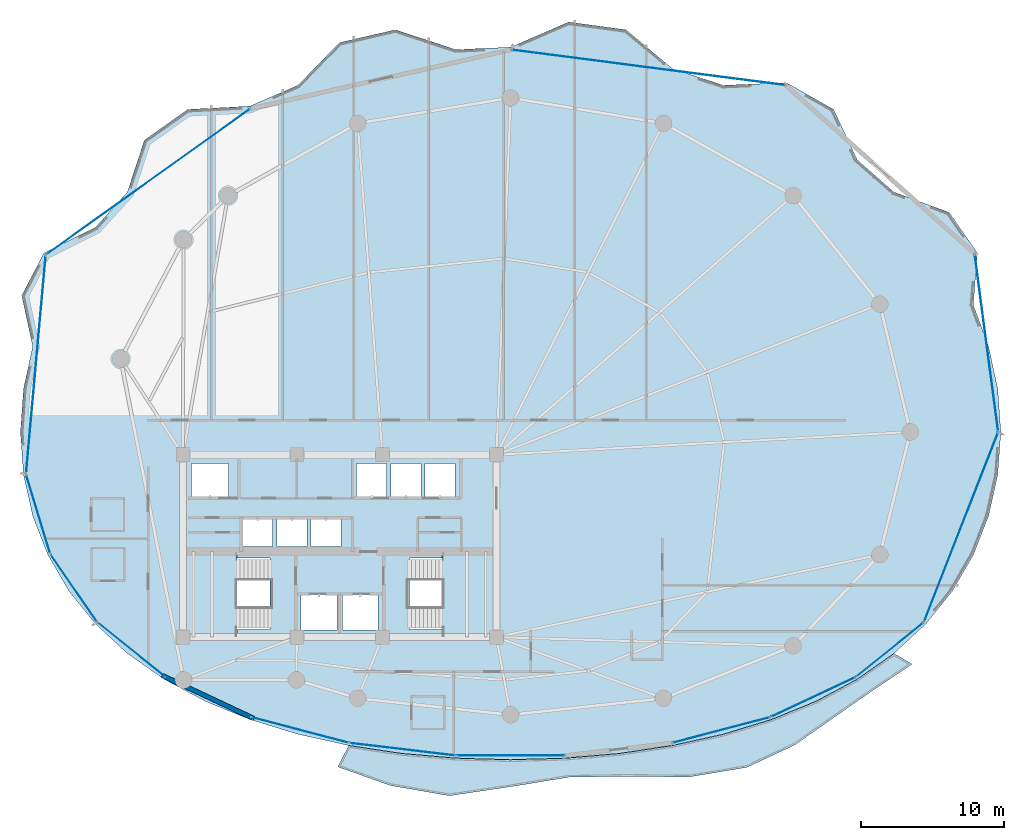
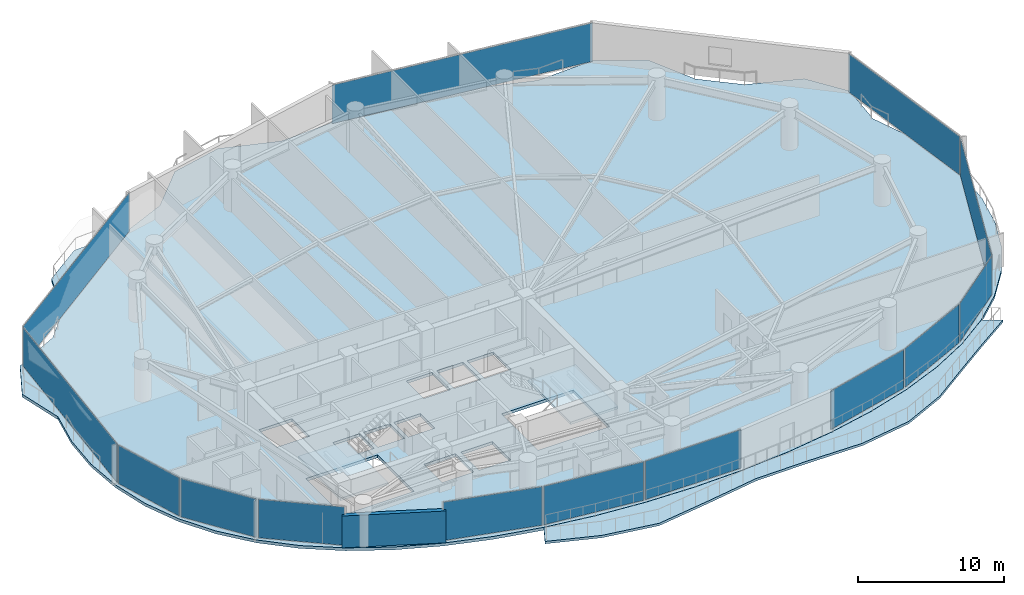
# One storey, part 25 of 33: 14 plates, 4 slabs, 1 wall, 16 elements without a shape of their own.
"""IFC4 building model written with IfcOpenShell, lengths in metres."""

from ifc_helpers import new_model, si_unit, direction, frame, frame_2d, origin, origin_2d, place, context, subcontext, project, spatial, polyline, rectangle, outline, extrude, material, layer, layer_set, type_object, element, aggregate, save


model = new_model("IFC4")

# Units and contexts
model_context = context("Model", 3, precision=1e-05, world=origin(), true_north=direction((0.0, 1.0)))
body_context = subcontext(model_context, "Body", "Model", "MODEL_VIEW")
ifc_project = project(units=[si_unit("LENGTHUNIT", "METRE"), si_unit("AREAUNIT", "SQUARE_METRE"), si_unit("VOLUMEUNIT", "CUBIC_METRE"), si_unit("PLANEANGLEUNIT", "RADIAN"), si_unit("MASSUNIT", "GRAM", prefix="KILO")], contexts=[model_context])

# Site, building, storey
site_placement = place(None, origin())
site = spatial("IfcSite", under=ifc_project, at=site_placement, CompositionType="ELEMENT")
building_placement = place(site_placement, origin())
building = spatial("IfcBuilding", under=site, at=building_placement, Name="Kazevale Care Tower and Concert Hall", CompositionType="ELEMENT")
storey_placement = place(building_placement, frame((0.0, 0.0, 153.0)))
storey = spatial("IfcBuildingStorey", under=building, at=storey_placement, Name="L40", CompositionType="ELEMENT", Elevation=153.0)

# Curtain wall, plate
ifc_material_1 = material(Name="Aluminium 6063-T6 and Low-E Glass", Category="aluminium")
ifc_layer_1 = layer(ifc_material_1, 0.179931640625)
ifc_layer_set_1 = layer_set([ifc_layer_1], Name="Aluminium 6063-T6 and Low-E Glass")
curtain_wall_type_1 = type_object("IfcCurtainWallType", Name="Convex Recessed Sunroom Curtain Wall CW-3", PredefinedType="NOTDEFINED", material=ifc_layer_set_1)
curtain_wall_1_placement = place(storey_placement, origin())
curtain_wall_1 = element("IfcCurtainWall", 1, at=curtain_wall_1_placement, inside=storey, type_object=curtain_wall_type_1, Name="cw:L40:f14", PredefinedType="NOTDEFINED")
ifc_material_2 = material(Name="Low-E Laminated Glass", Category="glass")
ifc_layer_2 = layer(ifc_material_2, 0.028076171875)
ifc_layer_set_2 = layer_set([ifc_layer_2], Name="Low-E Laminated Glass")
plate_type_1 = type_object("IfcPlateType", Name="CW-3 Low-E Glazing Panel 28mm", PredefinedType="CURTAIN_PANEL", material=ifc_layer_set_2)
plate_1_placement = place(storey_placement, frame((19.56103515625, 55.554931640625, 0.074951171875), z_axis=(0.0, 0.0, 1.0), x_axis=(0.813672201494, 0.58132396176, 0.0)))
plate_1 = element("IfcPlate", 2, at=plate_1_placement, type_object=plate_type_1, Name="CW-3 panel 1.1", PredefinedType="CURTAIN_PANEL", context=body_context, shape_type="SweptSolid", body=[
    extrude(rectangle(XDim=17.495849609375, YDim=0.028076171875, at=origin_2d()), origin(), (0.0, 0.0, 1.0), 3.2099609375),
])
aggregate(curtain_wall_1, [plate_1])

curtain_wall_2_placement = place(storey_placement, origin())
curtain_wall_2 = element("IfcCurtainWall", 3, at=curtain_wall_2_placement, inside=storey, type_object=curtain_wall_type_1, Name="cw:L40:f16", PredefinedType="NOTDEFINED")
plate_2_placement = place(storey_placement, frame((54.66845703125, 63.576416015625, 0.074951171875), z_axis=(0.0, 0.0, 1.0), x_axis=(0.99173542708, -0.128299815569, 0.0)))
plate_2 = element("IfcPlate", 4, at=plate_2_placement, type_object=plate_type_1, Name="CW-3 panel 1.1", PredefinedType="CURTAIN_PANEL", context=body_context, shape_type="SweptSolid", body=[
    extrude(rectangle(XDim=19.265380859375, YDim=0.028076171875, at=origin_2d()), origin(), (0.0, 0.0, 1.0), 3.2099609375),
])
aggregate(curtain_wall_2, [plate_2])

ifc_layer_3 = layer(ifc_material_1, 0.179931640625)
ifc_layer_set_3 = layer_set([ifc_layer_3], Name="Aluminium 6063-T6 and Low-E Glass")
curtain_wall_type_2 = type_object("IfcCurtainWallType", Name="Waist & Upper Residential Curtain Wall CW-4", PredefinedType="NOTDEFINED", material=ifc_layer_set_3)
curtain_wall_3_placement = place(storey_placement, origin())
curtain_wall_3 = element("IfcCurtainWall", 5, at=curtain_wall_3_placement, inside=storey, type_object=curtain_wall_type_2, Name="cw:L40:f01", PredefinedType="NOTDEFINED")
ifc_layer_4 = layer(ifc_material_2, 0.030029296875)
ifc_layer_set_4 = layer_set([ifc_layer_4], Name="Low-E Laminated Glass")
plate_type_2 = type_object("IfcPlateType", Name="CW-4 Low-E Glazing Panel 30mm", PredefinedType="CURTAIN_PANEL", material=ifc_layer_set_4)
plate_3_placement = place(storey_placement, frame((76.60791015625, 31.319091796875, 0.080078125), z_axis=(0.0, 0.0, 1.0), x_axis=(-0.36412075471, -0.931351746651, 0.0)))
plate_3 = element("IfcPlate", 6, at=plate_3_placement, type_object=plate_type_2, Name="CW-4 panel 1.1", PredefinedType="CURTAIN_PANEL", context=body_context, shape_type="SweptSolid", body=[
    extrude(rectangle(XDim=14.186767578125, YDim=0.030029296875, at=origin_2d()), origin(), (0.0, 0.0, 1.0), 3.199951171875),
])
aggregate(curtain_wall_3, [plate_3])

curtain_wall_4_placement = place(storey_placement, origin())
curtain_wall_4 = element("IfcCurtainWall", 7, at=curtain_wall_4_placement, inside=storey, type_object=curtain_wall_type_2, Name="cw:L40:f11", PredefinedType="NOTDEFINED")
plate_4_placement = place(storey_placement, frame((14.348388671875, 27.03955078125, 0.080078125), z_axis=(0.0, 0.0, 1.0), x_axis=(-0.567568708131, 0.823326035997, 0.0)))
plate_4 = element("IfcPlate", 8, at=plate_4_placement, type_object=plate_type_2, Name="CW-4 panel 1.1", PredefinedType="CURTAIN_PANEL", context=body_context, shape_type="SweptSolid", body=[
    extrude(rectangle(XDim=5.673583984375, YDim=0.030029296875, at=origin_2d()), origin(), (0.0, 0.0, 1.0), 3.199951171875),
])
aggregate(curtain_wall_4, [plate_4])

curtain_wall_5_placement = place(storey_placement, origin())
curtain_wall_5 = element("IfcCurtainWall", 9, at=curtain_wall_5_placement, inside=storey, type_object=curtain_wall_type_2, Name="cw:L40:f12", PredefinedType="NOTDEFINED")
plate_5_placement = place(storey_placement, frame((11.843994140625, 32.232421875, 0.080078125), z_axis=(0.0, 0.0, 1.0), x_axis=(-0.290977496961, 0.956729897234, 0.0)))
plate_5 = element("IfcPlate", 10, at=plate_5_placement, type_object=plate_type_2, Name="CW-4 panel 1.1", PredefinedType="CURTAIN_PANEL", context=body_context, shape_type="SweptSolid", body=[
    extrude(rectangle(XDim=5.675537109375, YDim=0.030029296875, at=origin_2d()), origin(), (0.0, 0.0, 1.0), 3.199951171875),
])
aggregate(curtain_wall_5, [plate_5])

curtain_wall_6_placement = place(storey_placement, origin())
curtain_wall_6 = element("IfcCurtainWall", 11, at=curtain_wall_6_placement, inside=storey, type_object=curtain_wall_type_2, Name="cw:L40:f13", PredefinedType="NOTDEFINED")
plate_6_placement = place(storey_placement, frame((11.6884765625, 42.72509765625, 0.080078125), z_axis=(0.0, 0.0, 1.0), x_axis=(0.089690298589, 0.995969703525, 0.0)))
plate_6 = element("IfcPlate", 12, at=plate_6_placement, type_object=plate_type_2, Name="CW-4 panel 1.1", PredefinedType="CURTAIN_PANEL", context=body_context, shape_type="SweptSolid", body=[
    extrude(rectangle(XDim=15.304443359375, YDim=0.030029296875, at=origin_2d()), origin(), (0.0, 0.0, 1.0), 3.199951171875),
])
aggregate(curtain_wall_6, [plate_6])

curtain_wall_7_placement = place(storey_placement, origin())
curtain_wall_7 = element("IfcCurtainWall", 13, at=curtain_wall_7_placement, inside=storey, type_object=curtain_wall_type_2, Name="cw:L40:f18", PredefinedType="NOTDEFINED")
plate_7_placement = place(storey_placement, frame((78.39306640625, 44.255615234375, 0.080078125), z_axis=(0.0, 0.0, 1.0), x_axis=(0.131063272711, -0.991374005382, 0.0)))
plate_7 = element("IfcPlate", 14, at=plate_7_placement, type_object=plate_type_2, Name="CW-4 panel 1.1", PredefinedType="CURTAIN_PANEL", context=body_context, shape_type="SweptSolid", body=[
    extrude(rectangle(XDim=12.4599609375, YDim=0.030029296875, at=origin_2d()), origin(), (0.0, 0.0, 1.0), 3.199951171875),
])
aggregate(curtain_wall_7, [plate_7])

ifc_layer_5 = layer(ifc_material_1, 0.179931640625)
ifc_layer_set_5 = layer_set([ifc_layer_5], Name="Aluminium 6063-T6 and Low-E Glass")
curtain_wall_type_3 = type_object("IfcCurtainWallType", Name="Sheltered Concave Balcony Curtain Wall CW-5", PredefinedType="NOTDEFINED", material=ifc_layer_set_5)
curtain_wall_8_placement = place(storey_placement, origin())
curtain_wall_8 = element("IfcCurtainWall", 15, at=curtain_wall_8_placement, inside=storey, type_object=curtain_wall_type_3, Name="cw:L40:f02", PredefinedType="NOTDEFINED")
ifc_layer_6 = layer(ifc_material_2, 0.02587890625)
ifc_layer_set_6 = layer_set([ifc_layer_6], Name="Low-E Laminated Glass")
plate_type_3 = type_object("IfcPlateType", Name="CW-5 Low-E Glazing Panel 26mm", PredefinedType="CURTAIN_PANEL", material=ifc_layer_set_6)
plate_8_placement = place(storey_placement, frame((71.613037109375, 22.720458984375, 0.074951171875), z_axis=(0.0, 0.0, 1.0), x_axis=(-0.779095419531, -0.626905357502, 0.0)))
plate_8 = element("IfcPlate", 16, at=plate_8_placement, type_object=plate_type_3, Name="CW-5 panel 1.1", PredefinedType="CURTAIN_PANEL", context=body_context, shape_type="SweptSolid", body=[
    extrude(rectangle(XDim=5.96728515625, YDim=0.02587890625, at=origin_2d()), origin(), (0.0, 0.0, 1.0), 3.2099609375),
])
aggregate(curtain_wall_8, [plate_8])

curtain_wall_9_placement = place(storey_placement, origin())
curtain_wall_9 = element("IfcCurtainWall", 17, at=curtain_wall_9_placement, inside=storey, type_object=curtain_wall_type_3, Name="cw:L40:f03", PredefinedType="NOTDEFINED")
plate_9_placement = place(storey_placement, frame((66.235595703125, 19.39697265625, 0.074951171875), z_axis=(0.0, 0.0, 1.0), x_axis=(-0.905188294205, -0.425010766963, 0.0)))
plate_9 = element("IfcPlate", 18, at=plate_9_placement, type_object=plate_type_3, Name="CW-5 panel 1.1", PredefinedType="CURTAIN_PANEL", context=body_context, shape_type="SweptSolid", body=[
    extrude(rectangle(XDim=6.46630859375, YDim=0.02587890625, at=origin_2d()), origin(), (0.0, 0.0, 1.0), 3.2099609375),
])
aggregate(curtain_wall_9, [plate_9])

curtain_wall_10_placement = place(storey_placement, origin())
curtain_wall_10 = element("IfcCurtainWall", 19, at=curtain_wall_10_placement, inside=storey, type_object=curtain_wall_type_3, Name="cw:L40:f04", PredefinedType="NOTDEFINED")
plate_10_placement = place(storey_placement, frame((59.784912109375, 17.08251953125, 0.074951171875), z_axis=(0.0, 0.0, 1.0), x_axis=(-0.967141564797, -0.254238458229, 0.0)))
plate_10 = element("IfcPlate", 20, at=plate_10_placement, type_object=plate_type_3, Name="CW-5 panel 1.1", PredefinedType="CURTAIN_PANEL", context=body_context, shape_type="SweptSolid", body=[
    extrude(rectangle(XDim=6.996826171875, YDim=0.02587890625, at=origin_2d()), origin(), (0.0, 0.0, 1.0), 3.2099609375),
])
aggregate(curtain_wall_10, [plate_10])

curtain_wall_11_placement = place(storey_placement, origin())
curtain_wall_11 = element("IfcCurtainWall", 21, at=curtain_wall_11_placement, inside=storey, type_object=curtain_wall_type_3, Name="cw:L40:f06", PredefinedType="NOTDEFINED")
plate_11_placement = place(storey_placement, frame((45.0, 15.2890625, 0.074951171875), z_axis=(0.0, 0.0, 1.0), x_axis=(-1.0, 0.0, 0.0)))
plate_11 = element("IfcPlate", 22, at=plate_11_placement, type_object=plate_type_3, Name="CW-5 panel 1.1", PredefinedType="CURTAIN_PANEL", context=body_context, shape_type="SweptSolid", body=[
    extrude(rectangle(XDim=7.531982421875, YDim=0.02587890625, at=origin_2d()), origin(), (0.0, 0.0, 1.0), 3.2099609375),
])
aggregate(curtain_wall_11, [plate_11])

curtain_wall_12_placement = place(storey_placement, origin())
curtain_wall_12 = element("IfcCurtainWall", 23, at=curtain_wall_12_placement, inside=storey, type_object=curtain_wall_type_3, Name="cw:L40:f07", PredefinedType="NOTDEFINED")
plate_12_placement = place(storey_placement, frame((37.4150390625, 15.7314453125, 0.074951171875), z_axis=(0.0, 0.0, 1.0), x_axis=(-0.993087997884, 0.117372179238, 0.0)))
plate_12 = element("IfcPlate", 24, at=plate_12_placement, type_object=plate_type_3, Name="CW-5 panel 1.1", PredefinedType="CURTAIN_PANEL", context=body_context, shape_type="SweptSolid", body=[
    extrude(rectangle(XDim=7.39013671875, YDim=0.02587890625, at=origin_2d()), origin(), (0.0, 0.0, 1.0), 3.2099609375),
])
aggregate(curtain_wall_12, [plate_12])

curtain_wall_13_placement = place(storey_placement, origin())
curtain_wall_13 = element("IfcCurtainWall", 25, at=curtain_wall_13_placement, inside=storey, type_object=curtain_wall_type_3, Name="cw:L40:f08", PredefinedType="NOTDEFINED")
plate_13_placement = place(storey_placement, frame((30.215087890625, 17.08251953125, 0.074951171875), z_axis=(0.0, 0.0, 1.0), x_axis=(-0.967141564797, 0.254238458229, 0.0)))
plate_13 = element("IfcPlate", 26, at=plate_13_placement, type_object=plate_type_3, Name="CW-5 panel 1.1", PredefinedType="CURTAIN_PANEL", context=body_context, shape_type="SweptSolid", body=[
    extrude(rectangle(XDim=6.996826171875, YDim=0.02587890625, at=origin_2d()), origin(), (0.0, 0.0, 1.0), 3.2099609375),
])
aggregate(curtain_wall_13, [plate_13])

curtain_wall_14_placement = place(storey_placement, origin())
curtain_wall_14 = element("IfcCurtainWall", 27, at=curtain_wall_14_placement, inside=storey, type_object=curtain_wall_type_3, Name="cw:L40:f10", PredefinedType="NOTDEFINED")
plate_14_placement = place(storey_placement, frame((18.386962890625, 22.720458984375, 0.074951171875), z_axis=(0.0, 0.0, 1.0), x_axis=(-0.779095419531, 0.626905357502, 0.0)))
plate_14 = element("IfcPlate", 28, at=plate_14_placement, type_object=plate_type_3, Name="CW-5 panel 1.1", PredefinedType="CURTAIN_PANEL", context=body_context, shape_type="SweptSolid", body=[
    extrude(rectangle(XDim=5.96728515625, YDim=0.02587890625, at=origin_2d()), origin(), (0.0, 0.0, 1.0), 3.2099609375),
])
aggregate(curtain_wall_14, [plate_14])

# Slab
ifc_material_3 = material(Name="Concrete C40", Category="concrete")
ifc_layer_7 = layer(ifc_material_3, 0.199951171875)
ifc_layer_set_7 = layer_set([ifc_layer_7], Name="Concrete C40")
slab_type_1 = type_object("IfcSlabType", Name="Sinusoidal Concave Balcony Slab 200", PredefinedType="USERDEFINED", material=ifc_layer_set_7)
slab_1_placement = place(storey_placement, frame((0.0, 0.0, -0.199951171875)))
element("IfcSlab", 29, at=slab_1_placement, inside=storey, type_object=slab_type_1, Name="slab:L40:bal", ObjectType="BALCONY", PredefinedType="USERDEFINED", context=body_context, shape_type="SweptSolid", body=[
    extrude(outline(polyline([(73.1787109375, 21.7109375), (70.423583984375, 19.865234375), (67.71826171875, 17.9873046875), (64.9287109375, 16.028076171875), (61.564697265625, 14.458984375), (57.5048828125, 13.783203125), (53.19921875, 13.8359375), (49.076904296875, 13.77099609375), (45.0, 13.103759765625), (40.7041015625, 12.4697265625), (36.579345703125, 13.183349609375), (32.864013671875, 14.498046875), (33.635986328125, 15.992919921875), (33.637451171875, 15.992431640625), (37.3447265625, 15.435546875), (41.148193359375, 15.104736328125), (45.0, 14.9951171875), (48.851806640625, 15.104736328125), (52.6552734375, 15.435546875), (56.362548828125, 15.992431640625), (59.927001953125, 16.783447265625), (63.3037109375, 17.81689453125), (66.4501953125, 19.101806640625), (69.3271484375, 20.64501953125), (71.898193359375, 22.44921875), (71.899658203125, 22.450439453125), (73.1787109375, 21.7109375)])), origin(), (0.0, 0.0, 1.0), 0.199951171875),
])

# Stair, slab
stair_type = type_object("IfcStairType", Name="Exit Stair Assembly ST1-Z2", PredefinedType="HALF_TURN_STAIR", material=ifc_material_3)
stair_1_placement = place(storey_placement, origin())
stair_1 = element("IfcStair", 30, at=stair_1_placement, inside=storey, type_object=stair_type, Name="stair:L40:ST1", PredefinedType="HALF_TURN_STAIR")
ifc_layer_8 = layer(ifc_material_3, 0.199951171875)
ifc_layer_set_8 = layer_set([ifc_layer_8], Name="Concrete C40")
slab_type_2 = type_object("IfcSlabType", Name="Stair Half-Landing Slab ST1-Z2", PredefinedType="LANDING", material=ifc_layer_set_8)
slab_2_placement = place(storey_placement, frame((0.0, 0.0, 1.60009765625)))
slab_2 = element("IfcSlab", 31, at=slab_2_placement, type_object=slab_type_2, Name="ST1-Z2 landing 1", PredefinedType="LANDING", context=body_context, shape_type="SweptSolid", body=[
    extrude(outline(polyline([(22.050048828125, 23.699951171875), (25.81005859375, 23.699951171875), (25.81005859375, 29.5), (22.050048828125, 29.5), (22.050048828125, 23.699951171875)])), origin(), (0.0, 0.0, 1.0), 0.199951171875),
])
aggregate(stair_1, [slab_2])

stair_2_placement = place(storey_placement, origin())
stair_2 = element("IfcStair", 32, at=stair_2_placement, inside=storey, type_object=stair_type, Name="stair:L40:ST2", PredefinedType="HALF_TURN_STAIR")
slab_3_placement = place(storey_placement, frame((0.0, 0.0, 1.60009765625)))
slab_3 = element("IfcSlab", 33, at=slab_3_placement, type_object=slab_type_2, Name="ST1-Z2 landing 1", PredefinedType="LANDING", context=body_context, shape_type="SweptSolid", body=[
    extrude(outline(polyline([(40.18994140625, 23.699951171875), (43.949951171875, 23.699951171875), (43.949951171875, 29.5), (40.18994140625, 29.5), (40.18994140625, 23.699951171875)])), origin(), (0.0, 0.0, 1.0), 0.199951171875),
])
aggregate(stair_2, [slab_3])

# Slab
ifc_layer_9 = layer(ifc_material_3, 0.239990234375)
ifc_layer_set_9 = layer_set([ifc_layer_9], Name="Concrete C40")
slab_type_3 = type_object("IfcSlabType", Name="Tower Typical Floor Slab 240", PredefinedType="FLOOR", material=ifc_layer_set_9)
slab_4_placement = place(storey_placement, frame((0.0, 0.0, -0.239990234375)))
element("IfcSlab", 34, at=slab_4_placement, inside=storey, type_object=slab_type_3, Name="slab:L40:tw:1", PredefinedType="FLOOR", context=body_context, shape_type="SweptSolid", body=[
    extrude(outline(polyline([(79.39990234375, 38.0), (79.18359375, 41.02294921875), (78.53759765625, 44.008056640625), (77.469482421875, 46.91748046875), (77.750244140625, 50.560791015625), (75.7783203125, 53.40234375), (71.89501953125, 54.834228515625), (69.324462890625, 57.091796875), (67.663818359375, 60.634033203125), (64.33935546875, 62.5126953125), (59.925537109375, 62.326171875), (56.361572265625, 63.48486328125), (53.088623046875, 66.22412109375), (49.06982421875, 66.76806640625), (45.0, 65.0), (41.1484375, 64.830078125), (36.911376953125, 66.22412109375), (32.994384765625, 65.325439453125), (30.074462890625, 62.326171875), (26.697998046875, 60.861572265625), (22.336181640625, 60.634033203125), (19.296630859375, 58.470703125), (18.10498046875, 54.834228515625), (15.872802734375, 52.364990234375), (12.249755859375, 50.560791015625), (10.689697265625, 47.5615234375), (11.46240234375, 44.008056640625), (10.81640625, 41.02294921875), (10.60009765625, 38.0), (10.81640625, 34.997802734375), (11.46240234375, 32.1005859375), (12.530517578125, 29.362548828125), (14.006591796875, 26.82421875), (15.872802734375, 24.514892578125), (18.10498046875, 22.452880859375), (20.675537109375, 20.649169921875), (23.552001953125, 19.1064453125), (26.697998046875, 17.821533203125), (30.074462890625, 16.7880859375), (33.638427734375, 15.997314453125), (37.34521484375, 15.4404296875), (41.1484375, 15.109619140625), (45.0, 15.0), (48.8515625, 15.109619140625), (52.65478515625, 15.4404296875), (56.361572265625, 15.997314453125), (59.925537109375, 16.7880859375), (63.302001953125, 17.821533203125), (66.447998046875, 19.1064453125), (69.324462890625, 20.649169921875), (71.89501953125, 22.452880859375), (74.127197265625, 24.514892578125), (75.993408203125, 26.82421875), (77.469482421875, 29.362548828125), (78.53759765625, 32.1005859375), (79.18359375, 34.997802734375), (79.39990234375, 38.0)]), holes=[polyline([(22.449951171875, 24.14990234375), (28.110107421875, 24.14990234375), (28.110107421875, 29.14990234375), (22.449951171875, 29.14990234375), (22.449951171875, 24.14990234375)]), polyline([(37.889892578125, 24.14990234375), (43.550048828125, 24.14990234375), (43.550048828125, 29.14990234375), (37.889892578125, 29.14990234375), (37.889892578125, 24.14990234375)]), polyline([(30.300048828125, 24.10009765625), (32.800048828125, 24.10009765625), (32.800048828125, 26.60009765625), (30.300048828125, 26.60009765625), (30.300048828125, 24.10009765625)]), polyline([(33.199951171875, 24.10009765625), (35.699951171875, 24.10009765625), (35.699951171875, 26.60009765625), (33.199951171875, 26.60009765625), (33.199951171875, 24.10009765625)]), polyline([(22.60009765625, 33.39990234375), (25.199951171875, 33.39990234375), (25.199951171875, 35.800048828125), (22.60009765625, 35.800048828125), (22.60009765625, 33.39990234375)]), polyline([(34.199951171875, 33.39990234375), (36.300048828125, 33.39990234375), (36.300048828125, 35.800048828125), (34.199951171875, 35.800048828125), (34.199951171875, 33.39990234375)]), polyline([(36.60009765625, 33.39990234375), (38.699951171875, 33.39990234375), (38.699951171875, 35.800048828125), (36.60009765625, 35.800048828125), (36.60009765625, 33.39990234375)]), polyline([(39.0, 33.39990234375), (41.10009765625, 33.39990234375), (41.10009765625, 35.800048828125), (39.0, 35.800048828125), (39.0, 33.39990234375)]), polyline([(26.199951171875, 29.949951171875), (28.300048828125, 29.949951171875), (28.300048828125, 31.949951171875), (26.199951171875, 31.949951171875), (26.199951171875, 29.949951171875)]), polyline([(28.60009765625, 29.949951171875), (30.699951171875, 29.949951171875), (30.699951171875, 31.949951171875), (28.60009765625, 31.949951171875), (28.60009765625, 29.949951171875)]), polyline([(31.0, 29.949951171875), (33.10009765625, 29.949951171875), (33.10009765625, 31.949951171875), (31.0, 31.949951171875), (31.0, 29.949951171875)])]), origin(), (0.0, 0.0, 1.0), 0.239990234375),
])

# Wall
ifc_material_4 = material(Name="Concrete C40 with Honed Limestone Cladding", Category="masonry")
ifc_layer_10 = layer(ifc_material_4, 0.320068359375)
ifc_layer_set_10 = layer_set([ifc_layer_10], Name="Concrete C40 with Honed Limestone Cladding")
wall_type = type_object("IfcWallType", Name="Tower Honed Limestone Spandrel Wall 320", PredefinedType="STANDARD", material=ifc_layer_set_10)
wall_placement = place(storey_placement, frame((26.993896484375, 17.8798828125, 0.0), z_axis=(0.0, 0.0, 1.0), x_axis=(-0.905106920297, 0.425184034073, 0.0)))
element("IfcWall", 35, at=wall_placement, inside=storey, type_object=wall_type, Name="wall:cw:L40:f09", PredefinedType="STANDARD", context=body_context, shape_type="SweptSolid", body=[
    extrude(rectangle(XDim=7.13623046875, YDim=0.320068359375, at=frame_2d((3.568115234375, 0.0))), origin(), (0.0, 0.0, 1.0), 2.656982421875),
])

save(model, "model.ifc")
